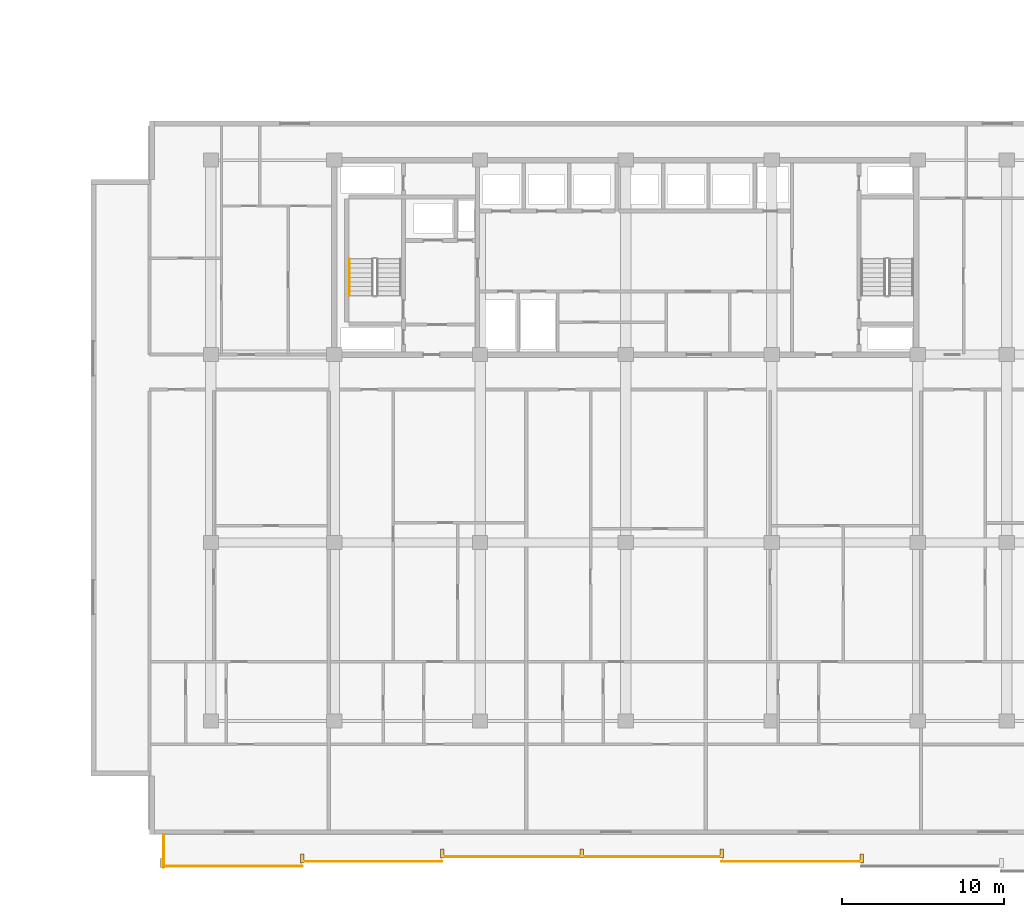
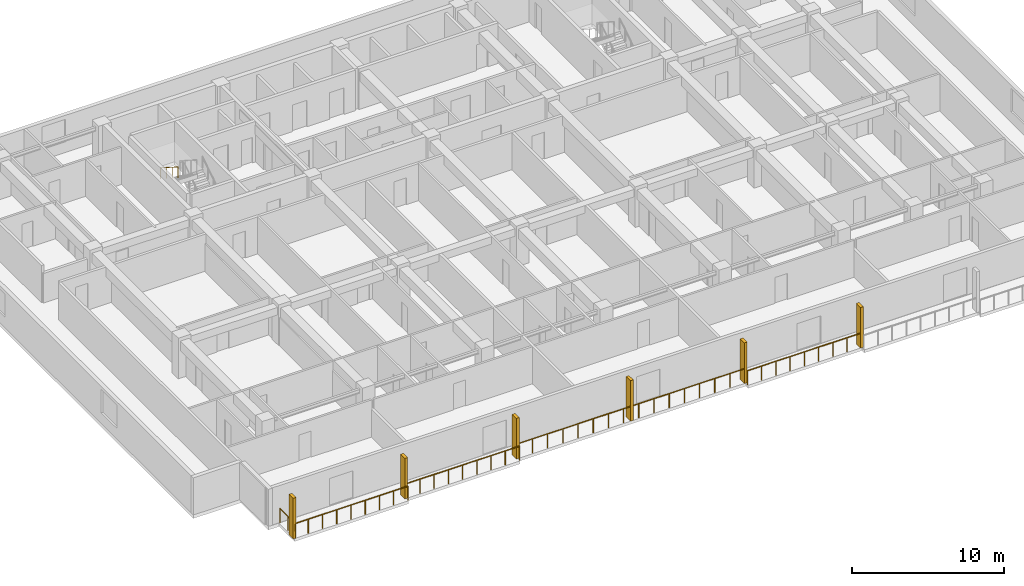
# One storey, part 19 of 23: 6 railings, 6 shading devices.
"""IFC4 building model written with IfcOpenShell, lengths in metres."""

from ifc_helpers import new_model, si_unit, direction, frame, origin, origin_2d, place, context, subcontext, project, spatial, rectangle, circle, extrude, material, type_object, element, save


model = new_model("IFC4")

# Units and contexts
model_context = context("Model", 3, precision=1e-05, world=origin(), true_north=direction((0.0, 1.0)))
body_context = subcontext(model_context, "Body", "Model", "MODEL_VIEW")
ifc_project = project(units=[si_unit("LENGTHUNIT", "METRE"), si_unit("AREAUNIT", "SQUARE_METRE"), si_unit("VOLUMEUNIT", "CUBIC_METRE"), si_unit("PLANEANGLEUNIT", "RADIAN"), si_unit("MASSUNIT", "GRAM", prefix="KILO")], contexts=[model_context])

# Site, building, storey
site_placement = place(None, origin())
site = spatial("IfcSite", under=ifc_project, at=site_placement, CompositionType="ELEMENT")
building_placement = place(site_placement, origin())
building = spatial("IfcBuilding", under=site, at=building_placement, Name="Korimba Cascade Residences", CompositionType="ELEMENT")
storey_placement = place(building_placement, frame((0.0, 0.0, 30.5)))
storey = spatial("IfcBuildingStorey", under=building, at=storey_placement, Name="L07", CompositionType="ELEMENT", Elevation=30.5)

# Railings
ifc_material_1 = material(Name="Laminated Glass and Bronze Balustrade", Category="glass")
railing_type_1 = type_object("IfcRailingType", Name="RLG-LOG-1150", PredefinedType="BALUSTRADE", material=ifc_material_1)
railing_1_placement = place(storey_placement, frame((71.5, -13.169921875, 0.0)))
element("IfcRailing", 1, at=railing_1_placement, inside=storey, type_object=railing_type_1, Name="L07 Perimeter Guardrail RLG-L07-T2-LOG-01", PredefinedType="BALUSTRADE", context=body_context, shape_type="SweptSolid", body=[
    extrude(circle(Radius=0.02392578125, at=origin_2d()), frame((0.0, 0.0, 1.1259765625), z_axis=(1.0, 0.0, 0.0), x_axis=(0.0, 1.0, 0.0)), (0.0, 0.0, 1.0), 8.628662109375),
    extrude(circle(Radius=0.02099609375, at=origin_2d()), origin(), (0.0, 0.0, 1.0), 1.101806640625),
    extrude(circle(Radius=0.02099609375, at=origin_2d()), frame((1.07861328125, 0.0, 0.0)), (0.0, 0.0, 1.0), 1.101806640625),
    extrude(circle(Radius=0.02099609375, at=origin_2d()), frame((2.1572265625, 0.0, 0.0)), (0.0, 0.0, 1.0), 1.101806640625),
    extrude(circle(Radius=0.02099609375, at=origin_2d()), frame((3.23583984375, 0.0, 0.0)), (0.0, 0.0, 1.0), 1.101806640625),
    extrude(circle(Radius=0.02099609375, at=origin_2d()), frame((4.314453125, 0.0, 0.0)), (0.0, 0.0, 1.0), 1.101806640625),
    extrude(circle(Radius=0.02099609375, at=origin_2d()), frame((5.392822265625, 0.0, 0.0)), (0.0, 0.0, 1.0), 1.101806640625),
    extrude(circle(Radius=0.02099609375, at=origin_2d()), frame((6.471435546875, 0.0, 0.0)), (0.0, 0.0, 1.0), 1.101806640625),
    extrude(circle(Radius=0.02099609375, at=origin_2d()), frame((7.550048828125, 0.0, 0.0)), (0.0, 0.0, 1.0), 1.101806640625),
    extrude(circle(Radius=0.02099609375, at=origin_2d()), frame((8.628662109375, 0.0, 0.0)), (0.0, 0.0, 1.0), 1.101806640625),
])
railing_2_placement = place(storey_placement, frame((80.128662109375, -12.8701171875, 0.0)))
element("IfcRailing", 2, at=railing_2_placement, inside=storey, type_object=railing_type_1, Name="L07 Perimeter Guardrail RLG-L07-T2-LOG-02", PredefinedType="BALUSTRADE", context=body_context, shape_type="SweptSolid", body=[
    extrude(circle(Radius=0.02392578125, at=origin_2d()), frame((0.0, 0.0, 1.1259765625), z_axis=(1.0, 0.0, 0.0), x_axis=(0.0, 1.0, 0.0)), (0.0, 0.0, 1.0), 8.62841796875),
    extrude(circle(Radius=0.02099609375, at=origin_2d()), origin(), (0.0, 0.0, 1.0), 1.101806640625),
    extrude(circle(Radius=0.02099609375, at=origin_2d()), frame((1.07861328125, 0.0, 0.0)), (0.0, 0.0, 1.0), 1.101806640625),
    extrude(circle(Radius=0.02099609375, at=origin_2d()), frame((2.1572265625, 0.0, 0.0)), (0.0, 0.0, 1.0), 1.101806640625),
    extrude(circle(Radius=0.02099609375, at=origin_2d()), frame((3.235595703125, 0.0, 0.0)), (0.0, 0.0, 1.0), 1.101806640625),
    extrude(circle(Radius=0.02099609375, at=origin_2d()), frame((4.314208984375, 0.0, 0.0)), (0.0, 0.0, 1.0), 1.101806640625),
    extrude(circle(Radius=0.02099609375, at=origin_2d()), frame((5.392822265625, 0.0, 0.0)), (0.0, 0.0, 1.0), 1.101806640625),
    extrude(circle(Radius=0.02099609375, at=origin_2d()), frame((6.47119140625, 0.0, 0.0)), (0.0, 0.0, 1.0), 1.101806640625),
    extrude(circle(Radius=0.02099609375, at=origin_2d()), frame((7.5498046875, 0.0, 0.0)), (0.0, 0.0, 1.0), 1.101806640625),
    extrude(circle(Radius=0.02099609375, at=origin_2d()), frame((8.62841796875, 0.0, 0.0)), (0.0, 0.0, 1.0), 1.101806640625),
])
railing_3_placement = place(storey_placement, frame((88.757080078125, -12.570068359375, 0.0)))
element("IfcRailing", 3, at=railing_3_placement, inside=storey, type_object=railing_type_1, Name="L07 Perimeter Guardrail RLG-L07-T2-LOG-03", PredefinedType="BALUSTRADE", context=body_context, shape_type="SweptSolid", body=[
    extrude(circle(Radius=0.02392578125, at=origin_2d()), frame((0.0, 0.0, 1.1259765625), z_axis=(1.0, 0.0, 0.0), x_axis=(0.0, 1.0, 0.0)), (0.0, 0.0, 1.0), 17.25732421875),
    extrude(circle(Radius=0.02099609375, at=origin_2d()), origin(), (0.0, 0.0, 1.0), 1.101806640625),
    extrude(circle(Radius=0.02099609375, at=origin_2d()), frame((1.150390625, 0.0, 0.0)), (0.0, 0.0, 1.0), 1.101806640625),
    extrude(circle(Radius=0.02099609375, at=origin_2d()), frame((2.301025390625, 0.0, 0.0)), (0.0, 0.0, 1.0), 1.101806640625),
    extrude(circle(Radius=0.02099609375, at=origin_2d()), frame((3.451416015625, 0.0, 0.0)), (0.0, 0.0, 1.0), 1.101806640625),
    extrude(circle(Radius=0.02099609375, at=origin_2d()), frame((4.60205078125, 0.0, 0.0)), (0.0, 0.0, 1.0), 1.101806640625),
    extrude(circle(Radius=0.02099609375, at=origin_2d()), frame((5.75244140625, 0.0, 0.0)), (0.0, 0.0, 1.0), 1.101806640625),
    extrude(circle(Radius=0.02099609375, at=origin_2d()), frame((6.90283203125, 0.0, 0.0)), (0.0, 0.0, 1.0), 1.101806640625),
    extrude(circle(Radius=0.02099609375, at=origin_2d()), frame((8.053466796875, 0.0, 0.0)), (0.0, 0.0, 1.0), 1.101806640625),
    extrude(circle(Radius=0.02099609375, at=origin_2d()), frame((9.203857421875, 0.0, 0.0)), (0.0, 0.0, 1.0), 1.101806640625),
    extrude(circle(Radius=0.02099609375, at=origin_2d()), frame((10.3544921875, 0.0, 0.0)), (0.0, 0.0, 1.0), 1.101806640625),
    extrude(circle(Radius=0.02099609375, at=origin_2d()), frame((11.5048828125, 0.0, 0.0)), (0.0, 0.0, 1.0), 1.101806640625),
    extrude(circle(Radius=0.02099609375, at=origin_2d()), frame((12.6552734375, 0.0, 0.0)), (0.0, 0.0, 1.0), 1.101806640625),
    extrude(circle(Radius=0.02099609375, at=origin_2d()), frame((13.805908203125, 0.0, 0.0)), (0.0, 0.0, 1.0), 1.101806640625),
    extrude(circle(Radius=0.02099609375, at=origin_2d()), frame((14.956298828125, 0.0, 0.0)), (0.0, 0.0, 1.0), 1.101806640625),
    extrude(circle(Radius=0.02099609375, at=origin_2d()), frame((16.10693359375, 0.0, 0.0)), (0.0, 0.0, 1.0), 1.101806640625),
    extrude(circle(Radius=0.02099609375, at=origin_2d()), frame((17.25732421875, 0.0, 0.0)), (0.0, 0.0, 1.0), 1.101806640625),
])
railing_4_placement = place(storey_placement, frame((106.014404296875, -12.8701171875, 0.0)))
element("IfcRailing", 4, at=railing_4_placement, inside=storey, type_object=railing_type_1, Name="L07 Perimeter Guardrail RLG-L07-T2-LOG-04", PredefinedType="BALUSTRADE", context=body_context, shape_type="SweptSolid", body=[
    extrude(circle(Radius=0.02392578125, at=origin_2d()), frame((0.0, 0.0, 1.1259765625), z_axis=(1.0, 0.0, 0.0), x_axis=(0.0, 1.0, 0.0)), (0.0, 0.0, 1.0), 8.62841796875),
    extrude(circle(Radius=0.02099609375, at=origin_2d()), origin(), (0.0, 0.0, 1.0), 1.101806640625),
    extrude(circle(Radius=0.02099609375, at=origin_2d()), frame((1.07861328125, 0.0, 0.0)), (0.0, 0.0, 1.0), 1.101806640625),
    extrude(circle(Radius=0.02099609375, at=origin_2d()), frame((2.1572265625, 0.0, 0.0)), (0.0, 0.0, 1.0), 1.101806640625),
    extrude(circle(Radius=0.02099609375, at=origin_2d()), frame((3.235595703125, 0.0, 0.0)), (0.0, 0.0, 1.0), 1.101806640625),
    extrude(circle(Radius=0.02099609375, at=origin_2d()), frame((4.314208984375, 0.0, 0.0)), (0.0, 0.0, 1.0), 1.101806640625),
    extrude(circle(Radius=0.02099609375, at=origin_2d()), frame((5.392822265625, 0.0, 0.0)), (0.0, 0.0, 1.0), 1.101806640625),
    extrude(circle(Radius=0.02099609375, at=origin_2d()), frame((6.47119140625, 0.0, 0.0)), (0.0, 0.0, 1.0), 1.101806640625),
    extrude(circle(Radius=0.02099609375, at=origin_2d()), frame((7.5498046875, 0.0, 0.0)), (0.0, 0.0, 1.0), 1.101806640625),
    extrude(circle(Radius=0.02099609375, at=origin_2d()), frame((8.62841796875, 0.0, 0.0)), (0.0, 0.0, 1.0), 1.101806640625),
])
railing_5_placement = place(storey_placement, frame((71.580078125, -11.199951171875, 0.0)))
element("IfcRailing", 5, at=railing_5_placement, inside=storey, type_object=railing_type_1, Name="L07 Perimeter Guardrail RLG-L07-T2-LOG-08", PredefinedType="BALUSTRADE", context=body_context, shape_type="SweptSolid", body=[
    extrude(circle(Radius=0.02392578125, at=origin_2d()), frame((0.0, 0.0, 1.1259765625), z_axis=(0.0, -1.0, 0.0), x_axis=(1.0, 0.0, 0.0)), (0.0, 0.0, 1.0), 2.050048828125),
    extrude(circle(Radius=0.02099609375, at=origin_2d()), origin(), (0.0, 0.0, 1.0), 1.101806640625),
    extrude(circle(Radius=0.02099609375, at=origin_2d()), frame((0.0, -1.02490234375, 0.0)), (0.0, 0.0, 1.0), 1.101806640625),
    extrude(circle(Radius=0.02099609375, at=origin_2d()), frame((0.0, -2.050048828125, 0.0)), (0.0, 0.0, 1.0), 1.101806640625),
])
ifc_material_2 = material(Name="Brushed Stainless Steel Handrail", Category="steel")
railing_type_2 = type_object("IfcRailingType", Name="RLG-ST-HR900", PredefinedType="HANDRAIL", material=ifc_material_2)
railing_6_placement = place(storey_placement, frame((83.050048828125, 24.2900390625, 1.989990234375)))
element("IfcRailing", 6, at=railing_6_placement, inside=storey, type_object=railing_type_2, Name="L07 ST-E1 stair handrail 2", PredefinedType="HANDRAIL", context=body_context, shape_type="SweptSolid", body=[
    extrude(circle(Radius=0.02392578125, at=origin_2d()), frame((0.0, 0.0, 0.8759765625), z_axis=(0.0, -0.840436612492, 0.541909863706), x_axis=(1.0, 0.0, 0.0)), (0.0, 0.0, 1.0), 2.665283203125),
    extrude(circle(Radius=0.02099609375, at=origin_2d()), origin(), (0.0, 0.0, 1.0), 0.851806640625),
    extrude(circle(Radius=0.02099609375, at=origin_2d()), frame((0.0, -0.74658203125, 0.4814453125)), (0.0, 0.0, 1.0), 0.851806640625),
    extrude(circle(Radius=0.02099609375, at=origin_2d()), frame((0.0, -1.493408203125, 0.962890625)), (0.0, 0.0, 1.0), 0.851806640625),
    extrude(circle(Radius=0.02099609375, at=origin_2d()), frame((0.0, -2.239990234375, 1.4443359375)), (0.0, 0.0, 1.0), 0.851806640625),
])

# Shading devices
ifc_material_3 = material(Name="Honed Sandstone Precast Fin", Category="masonry")
shading_device_type = type_object("IfcShadingDeviceType", Name="SHD-FIN-550", PredefinedType="USERDEFINED", material=ifc_material_3)
for number, where, z_axis, x_axis, name in (
    (7, (71.5, -12.97509765625, 0.0), (0.0, 0.0, 1.0), (1.0, 0.0, 0.0), "L07 T2 Warm-Stone Loggia Fin 1"),
    (8, (80.128662109375, -12.675048828125, 0.0), (0.0, 0.0, 1.0), (1.0, 0.0, 0.0), "L07 T2 Warm-Stone Loggia Fin 2"),
    (9, (88.757080078125, -12.375, 0.0), (0.0, 0.0, 1.0), (1.0, 0.0, 0.0), "L07 T2 Warm-Stone Loggia Fin 3"),
    (10, (97.3857421875, -12.375, 0.0), (0.0, 0.0, 1.0), (1.0, 0.0, 0.0), "L07 T2 Warm-Stone Loggia Fin 4"),
    (11, (106.014404296875, -12.375, 0.0), (0.0, 0.0, 1.0), (1.0, 0.0, 0.0), "L07 T2 Warm-Stone Loggia Fin 5"),
    (12, (114.642822265625, -12.675048828125, 0.0), (0.0, 0.0, 1.0), (1.0, 0.0, 0.0), "L07 T2 Warm-Stone Loggia Fin 6"),
):
    element("IfcShadingDevice", number, at=place(storey_placement, frame(where, z_axis=z_axis, x_axis=x_axis)), inside=storey, type_object=shading_device_type, Name=name, ObjectType="FIN", PredefinedType="USERDEFINED", context=body_context, shape_type="SweptSolid", body=[
        extrude(rectangle(XDim=0.219970703125, YDim=0.550048828125, at=origin_2d()), origin(), (0.0, 0.0, 1.0), 3.25),
    ])

save(model, "model.ifc")
